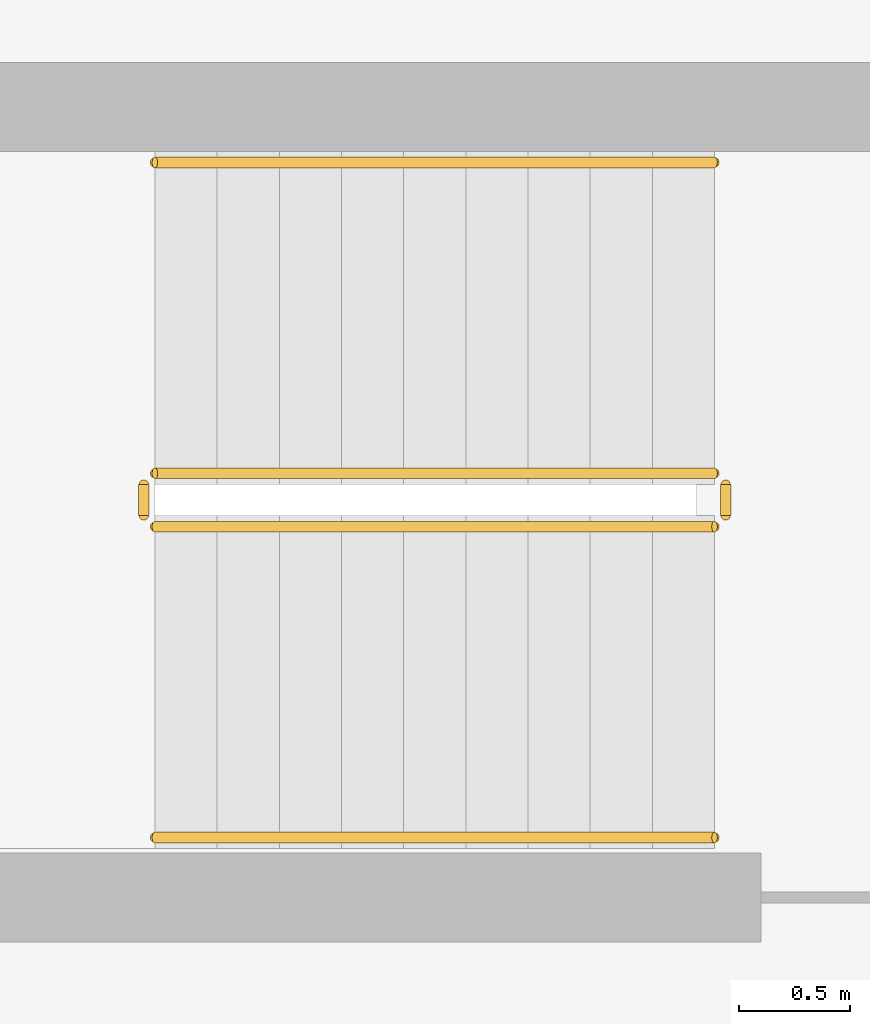
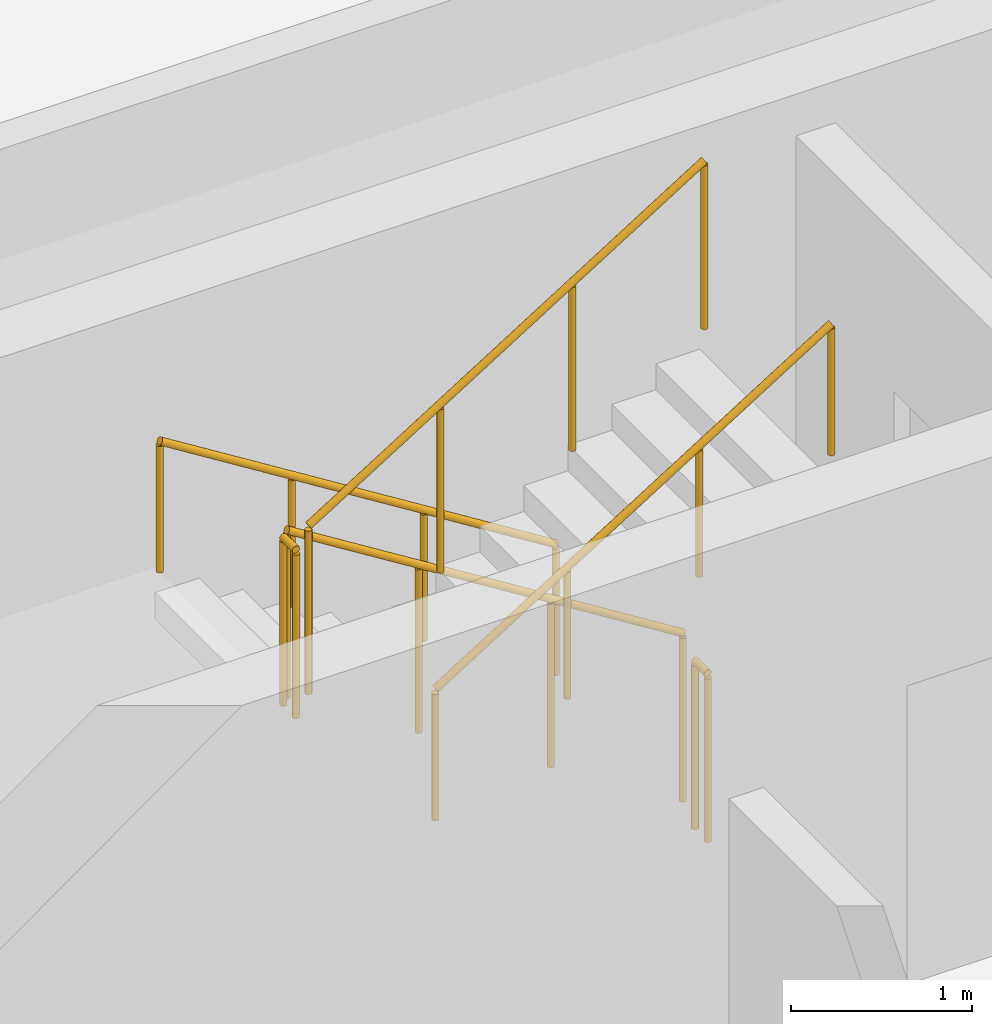
# One storey, part 24 of 26: 6 railings.
"""IFC4 building model written with IfcOpenShell, lengths in metres."""

from ifc_helpers import new_model, si_unit, derived_unit, direction, frame, origin, origin_2d, place, context, subcontext, project, spatial, circle, extrude, material, type_object, element, save


model = new_model("IFC4")

# Units and contexts
model_context = context("Model", 3, precision=1e-05, world=origin(), true_north=direction((0.0, 1.0)))
body_context = subcontext(model_context, "Body", "Model", "MODEL_VIEW")
ifc_project = project(units=[si_unit("LENGTHUNIT", "METRE"), si_unit("AREAUNIT", "SQUARE_METRE"), si_unit("VOLUMEUNIT", "CUBIC_METRE"), si_unit("PLANEANGLEUNIT", "RADIAN"), si_unit("MASSUNIT", "GRAM", prefix="KILO"), derived_unit("THERMALTRANSMITTANCEUNIT", [(si_unit("POWERUNIT", "WATT"), 1), (si_unit("LENGTHUNIT", "METRE"), -2), (si_unit("THERMODYNAMICTEMPERATUREUNIT", "KELVIN"), -1)])], contexts=[model_context])

# Site, building, storey
site_placement = place(None, origin())
site = spatial("IfcSite", under=ifc_project, at=site_placement, CompositionType="ELEMENT")
building_placement = place(site_placement, origin())
building = spatial("IfcBuilding", under=site, at=building_placement, Name="Kivonza Crest Hotel", CompositionType="ELEMENT")
storey_placement = place(building_placement, frame((0.0, 0.0, 109.0)))
storey = spatial("IfcBuildingStorey", under=building, at=storey_placement, Name="L29", CompositionType="ELEMENT", Elevation=109.0)

# Railings
ifc_material_1 = material(Name="Brushed stainless steel handrail", Category="steel")
railing_type_1 = type_object("IfcRailingType", Name="RL-HAND-900", PredefinedType="HANDRAIL", material=ifc_material_1)
railing_1_placement = place(storey_placement, frame((12.239990234375, 36.110107421875, 0.175048828125)))
element("IfcRailing", 1, at=railing_1_placement, inside=storey, type_object=railing_type_1, Name="L29 ST-T1-N stair handrail 1", PredefinedType="HANDRAIL", context=body_context, shape_type="SweptSolid", body=[
    extrude(circle(Radius=0.02392578125, at=origin_2d()), frame((0.0, 0.0, 0.8759765625), z_axis=(-0.848007534815, 0.0, 0.529984170421), x_axis=(0.0, -1.0, 0.0)), (0.0, 0.0, 1.0), 2.9716796875),
    extrude(circle(Radius=0.02099609375, at=origin_2d()), origin(), (0.0, 0.0, 1.0), 0.851806640625),
    extrude(circle(Radius=0.02099609375, at=origin_2d()), frame((-0.840087890625, 0.0, 0.52490234375)), (0.0, 0.0, 1.0), 0.851806640625),
    extrude(circle(Radius=0.02099609375, at=origin_2d()), frame((-1.679931640625, 0.0, 1.050048828125)), (0.0, 0.0, 1.0), 0.851806640625),
    extrude(circle(Radius=0.02099609375, at=origin_2d()), frame((-2.52001953125, 0.0, 1.574951171875)), (0.0, 0.0, 1.0), 0.851806640625),
])
railing_2_placement = place(storey_placement, frame((9.719970703125, 33.070068359375, 1.925048828125)))
element("IfcRailing", 2, at=railing_2_placement, inside=storey, type_object=railing_type_1, Name="L29 ST-T1-N stair handrail 2", PredefinedType="HANDRAIL", context=body_context, shape_type="SweptSolid", body=[
    extrude(circle(Radius=0.02392578125, at=origin_2d()), frame((0.0, 0.0, 0.8759765625), z_axis=(0.848007534815, 0.0, 0.529984170421), x_axis=(0.0, 1.0, 0.0)), (0.0, 0.0, 1.0), 2.9716796875),
    extrude(circle(Radius=0.02099609375, at=origin_2d()), origin(), (0.0, 0.0, 1.0), 0.851806640625),
    extrude(circle(Radius=0.02099609375, at=origin_2d()), frame((0.840087890625, 0.0, 0.52490234375)), (0.0, 0.0, 1.0), 0.851806640625),
    extrude(circle(Radius=0.02099609375, at=origin_2d()), frame((1.679931640625, 0.0, 1.050048828125)), (0.0, 0.0, 1.0), 0.851806640625),
    extrude(circle(Radius=0.02099609375, at=origin_2d()), frame((2.52001953125, 0.0, 1.574951171875)), (0.0, 0.0, 1.0), 0.851806640625),
])
ifc_material_2 = material(Name="Painted steel balustrade", Category="steel")
railing_type_2 = type_object("IfcRailingType", Name="RL-STAIR-1150", PredefinedType="BALUSTRADE", material=ifc_material_2)
railing_3_placement = place(storey_placement, frame((12.239990234375, 34.7099609375, 0.175048828125)))
element("IfcRailing", 3, at=railing_3_placement, inside=storey, type_object=railing_type_2, Name="L29 ST-T1-N stair guard 1", PredefinedType="BALUSTRADE", context=body_context, shape_type="SweptSolid", body=[
    extrude(circle(Radius=0.02392578125, at=origin_2d()), frame((0.0, 0.0, 1.1259765625), z_axis=(-0.848007534815, 0.0, 0.529984170421), x_axis=(0.0, -1.0, 0.0)), (0.0, 0.0, 1.0), 2.9716796875),
    extrude(circle(Radius=0.02099609375, at=origin_2d()), origin(), (0.0, 0.0, 1.0), 1.101806640625),
    extrude(circle(Radius=0.02099609375, at=origin_2d()), frame((-0.840087890625, 0.0, 0.52490234375)), (0.0, 0.0, 1.0), 1.101806640625),
    extrude(circle(Radius=0.02099609375, at=origin_2d()), frame((-1.679931640625, 0.0, 1.050048828125)), (0.0, 0.0, 1.0), 1.101806640625),
    extrude(circle(Radius=0.02099609375, at=origin_2d()), frame((-2.52001953125, 0.0, 1.574951171875)), (0.0, 0.0, 1.0), 1.101806640625),
])
railing_4_placement = place(storey_placement, frame((9.669921875, 34.659912109375, 1.75)))
element("IfcRailing", 4, at=railing_4_placement, inside=storey, type_object=railing_type_2, Name="L29 ST-T1-N stair guard 2", PredefinedType="BALUSTRADE", context=body_context, shape_type="SweptSolid", body=[
    extrude(circle(Radius=0.02392578125, at=origin_2d()), frame((0.0, 0.0, 1.1259765625), z_axis=(0.0, -1.0, 0.0), x_axis=(1.0, 0.0, 0.0)), (0.0, 0.0, 1.0), 0.139892578125),
    extrude(circle(Radius=0.02099609375, at=origin_2d()), origin(), (0.0, 0.0, 1.0), 1.101806640625),
    extrude(circle(Radius=0.02099609375, at=origin_2d()), frame((0.0, -0.139892578125, 0.0)), (0.0, 0.0, 1.0), 1.101806640625),
])
railing_5_placement = place(storey_placement, frame((9.719970703125, 34.469970703125, 1.925048828125)))
element("IfcRailing", 5, at=railing_5_placement, inside=storey, type_object=railing_type_2, Name="L29 ST-T1-N stair guard 3", PredefinedType="BALUSTRADE", context=body_context, shape_type="SweptSolid", body=[
    extrude(circle(Radius=0.02392578125, at=origin_2d()), frame((0.0, 0.0, 1.1259765625), z_axis=(0.848007534815, 0.0, 0.529984170421), x_axis=(0.0, 1.0, 0.0)), (0.0, 0.0, 1.0), 2.9716796875),
    extrude(circle(Radius=0.02099609375, at=origin_2d()), origin(), (0.0, 0.0, 1.0), 1.101806640625),
    extrude(circle(Radius=0.02099609375, at=origin_2d()), frame((0.840087890625, 0.0, 0.52490234375)), (0.0, 0.0, 1.0), 1.101806640625),
    extrude(circle(Radius=0.02099609375, at=origin_2d()), frame((1.679931640625, 0.0, 1.050048828125)), (0.0, 0.0, 1.0), 1.101806640625),
    extrude(circle(Radius=0.02099609375, at=origin_2d()), frame((2.52001953125, 0.0, 1.574951171875)), (0.0, 0.0, 1.0), 1.101806640625),
])
railing_6_placement = place(storey_placement, frame((12.2900390625, 34.659912109375, 0.0)))
element("IfcRailing", 6, at=railing_6_placement, inside=storey, type_object=railing_type_2, Name="L29 ST-T1-N stair guard 4", PredefinedType="BALUSTRADE", context=body_context, shape_type="SweptSolid", body=[
    extrude(circle(Radius=0.02392578125, at=origin_2d()), frame((0.0, 0.0, 1.1259765625), z_axis=(0.0, -1.0, 0.0), x_axis=(1.0, 0.0, 0.0)), (0.0, 0.0, 1.0), 0.139892578125),
    extrude(circle(Radius=0.02099609375, at=origin_2d()), origin(), (0.0, 0.0, 1.0), 1.101806640625),
    extrude(circle(Radius=0.02099609375, at=origin_2d()), frame((0.0, -0.139892578125, 0.0)), (0.0, 0.0, 1.0), 1.101806640625),
])

save(model, "model.ifc")
